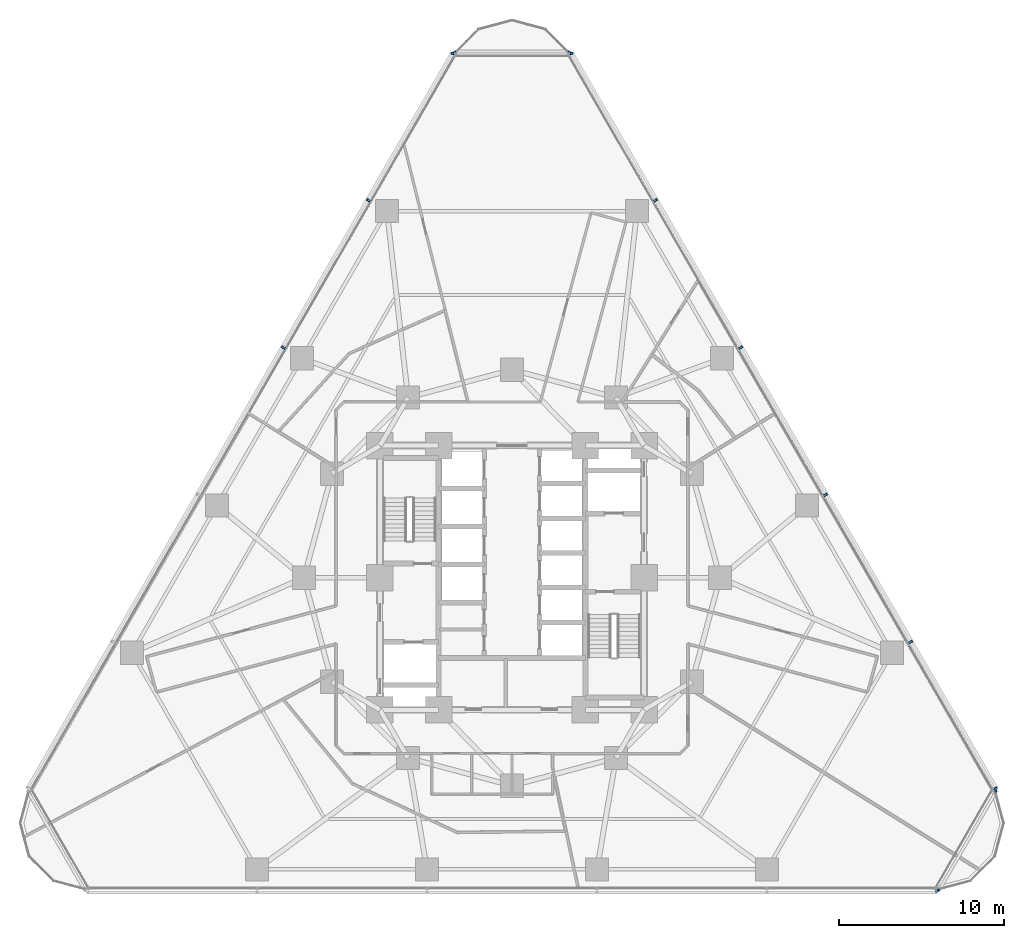
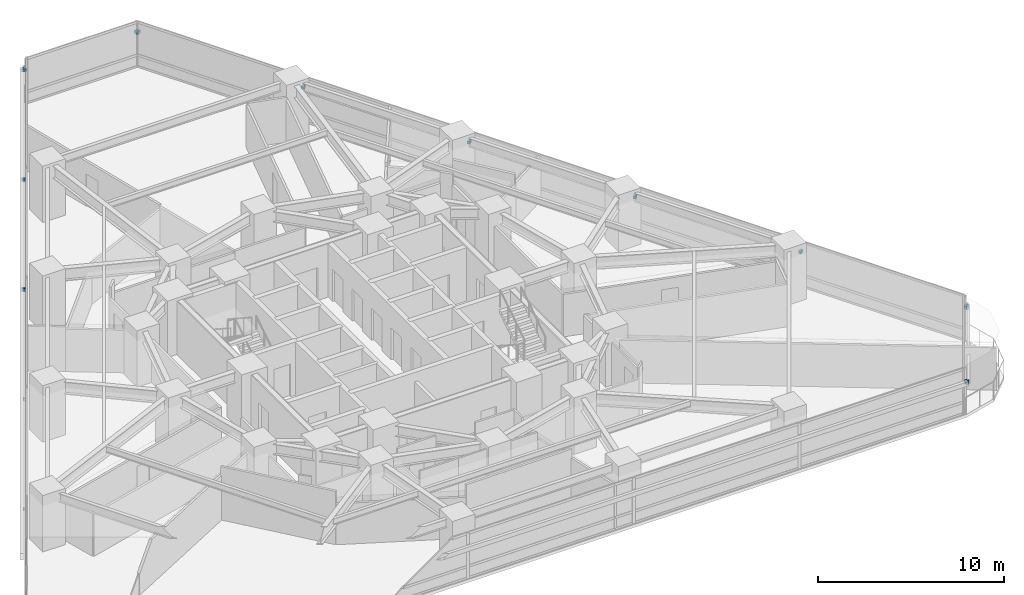
# One storey, part 11 of 15: 14 discrete accessories.
"""IFC4 building model written with IfcOpenShell, lengths in metres."""

from ifc_helpers import new_model, si_unit, direction, frame, origin, origin_2d, place, context, subcontext, project, spatial, rectangle, extrude, material, type_object, element, save


model = new_model("IFC4")

# Units and contexts
model_context = context("Model", 3, precision=1e-05, world=origin(), true_north=direction((0.0, 1.0)))
body_context = subcontext(model_context, "Body", "Model", "MODEL_VIEW")
ifc_project = project(units=[si_unit("LENGTHUNIT", "METRE"), si_unit("AREAUNIT", "SQUARE_METRE"), si_unit("VOLUMEUNIT", "CUBIC_METRE"), si_unit("PLANEANGLEUNIT", "RADIAN"), si_unit("MASSUNIT", "GRAM", prefix="KILO")], contexts=[model_context])

# Site, building, storey
site_placement = place(None, origin())
site = spatial("IfcSite", under=ifc_project, at=site_placement, CompositionType="ELEMENT")
building_placement = place(site_placement, origin())
building = spatial("IfcBuilding", under=site, at=building_placement, Name="Terralouvre Media Tower", CompositionType="ELEMENT")
storey_placement = place(building_placement, frame((0.0, 0.0, 33.39990234375)))
storey = spatial("IfcBuildingStorey", under=building, at=storey_placement, Name="L07", CompositionType="ELEMENT", Elevation=33.39990234375)

# Discrete accessories
ifc_material = material(Name="Anodised extruded aluminium 6063-T6", Category="aluminium")
discrete_accessory_type = type_object("IfcDiscreteAccessoryType", Name="Mullion Stand-Off Baguette Fixing Bracket BK-01", PredefinedType="BRACKET", material=ifc_material)
for number, where, z_axis, x_axis, name in (
    (1, (25.71240234375, -18.956787109375, 2.07421875), (0.0, 0.0, 1.0), (1.0, 0.0, 0.0), "CW-L07-F0 Baguette Outrigger Bracket 1.06"),
    (2, (29.273193359375, -12.789306640625, 2.07421875), (0.0, 0.0, 1.0), (-0.499999985671, 0.866025412057, 0.0), "CW-L07-F1 Baguette Outrigger Bracket 1.01"),
    (3, (24.14208984375, -3.901611328125, 2.07421875), (0.0, 0.0, 1.0), (-0.499999985671, 0.866025412057, 0.0), "CW-L07-F1 Baguette Outrigger Bracket 1.02"),
    (4, (18.991943359375, 5.018310546875, 2.07421875), (0.0, 0.0, 1.0), (-0.499999985671, 0.866025412057, 0.0), "CW-L07-F1 Baguette Outrigger Bracket 1.03"),
    (5, (13.842041015625, 13.9384765625, 2.07421875), (0.0, 0.0, 1.0), (-0.499999985671, 0.866025412057, 0.0), "CW-L07-F1 Baguette Outrigger Bracket 1.04"),
    (6, (8.692138671875, 22.8583984375, 2.07421875), (0.0, 0.0, 1.0), (-0.499999985671, 0.866025412057, 0.0), "CW-L07-F1 Baguette Outrigger Bracket 1.05"),
    (7, (3.560791015625, 31.74609375, 2.07421875), (0.0, 0.0, 1.0), (-0.499999985671, 0.866025412057, 0.0), "CW-L07-F1 Baguette Outrigger Bracket 1.06"),
    (8, (-3.560791015625, 31.74609375, 2.07421875), (0.0, 0.0, 1.0), (-0.499999985671, -0.866025412057, 0.0), "CW-L07-F2 Baguette Outrigger Bracket 1.01"),
    (9, (-8.692138671875, 22.8583984375, 2.07421875), (0.0, 0.0, 1.0), (-0.499999985671, -0.866025412057, 0.0), "CW-L07-F2 Baguette Outrigger Bracket 1.02"),
    (10, (-13.842041015625, 13.9384765625, 2.07421875), (0.0, 0.0, 1.0), (-0.499999985671, -0.866025412057, 0.0), "CW-L07-F2 Baguette Outrigger Bracket 1.03"),
    (11, (25.7861328125, -18.894287109375, 2.07421875), (0.0, 0.0, 1.0), (0.499999691503, 0.866025581895, 0.0), "CW-L07-C1 Baguette Outrigger Bracket 1.01"),
    (12, (29.255859375, -12.88427734375, 2.07421875), (0.0, 0.0, 1.0), (0.499999691503, 0.866025581895, 0.0), "CW-L07-C1 Baguette Outrigger Bracket 1.02"),
    (13, (3.469970703125, 31.778564453125, 2.07421875), (0.0, 0.0, 1.0), (-1.0, 0.0, 0.0), "CW-L07-C2 Baguette Outrigger Bracket 1.01"),
    (14, (-3.469970703125, 31.778564453125, 2.07421875), (0.0, 0.0, 1.0), (-1.0, 0.0, 0.0), "CW-L07-C2 Baguette Outrigger Bracket 1.02"),
):
    element("IfcDiscreteAccessory", number, at=place(storey_placement, frame(where, z_axis=z_axis, x_axis=x_axis)), inside=storey, type_object=discrete_accessory_type, Name=name, PredefinedType="BRACKET", context=body_context, shape_type="SweptSolid", body=[
        extrude(rectangle(XDim=0.139892578125, YDim=0.239990234375, at=origin_2d()), origin(), (0.0, 0.0, 1.0), 0.179931640625),
    ])

save(model, "model.ifc")
